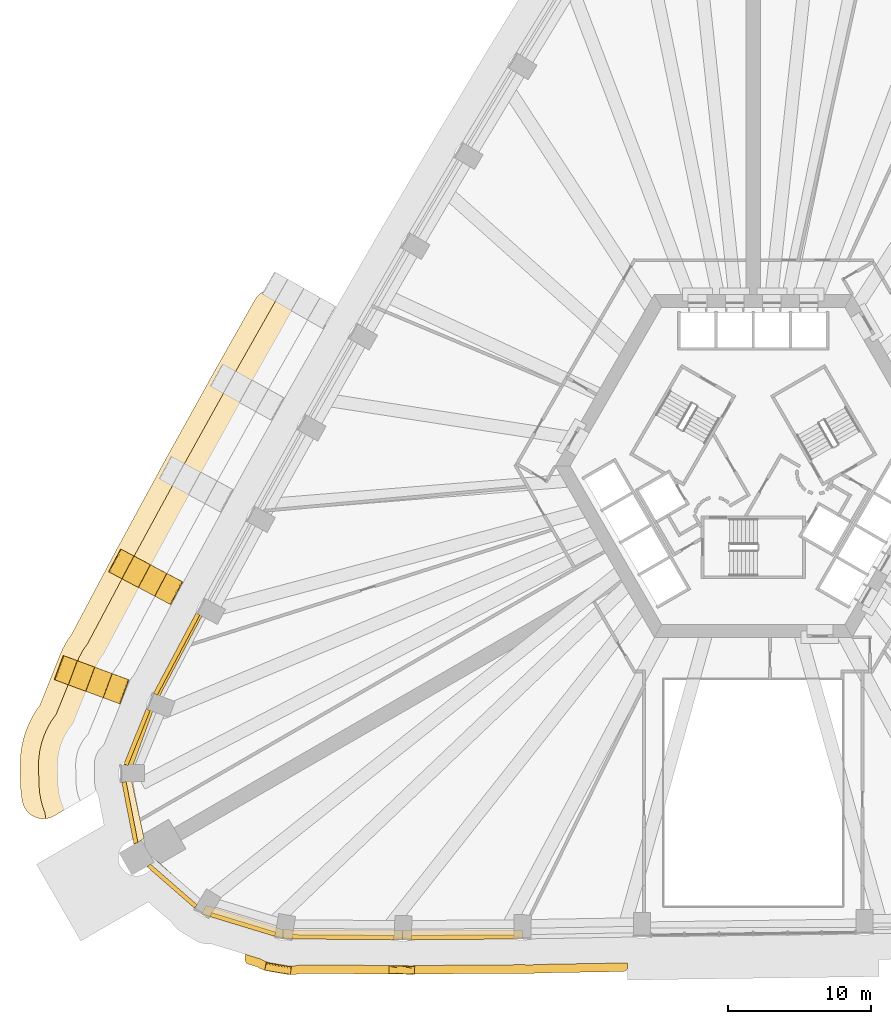
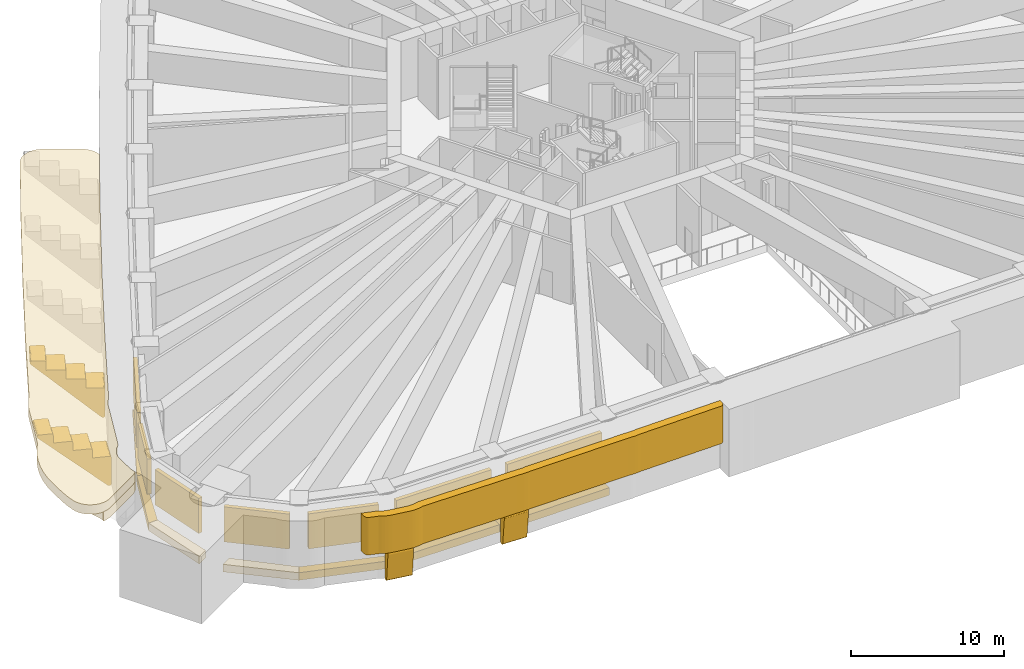
# One storey, part 14 of 21: 14 coverings, 7 shading devices.
"""IFC4 building model written with IfcOpenShell, lengths in metres."""

from ifc_helpers import new_model, si_unit, direction, frame, origin, origin_2d, place, context, subcontext, project, spatial, polyline, rectangle, outline, extrude, material, layer, layer_set, type_object, element, save


model = new_model("IFC4")

# Units and contexts
model_context = context("Model", 3, precision=1e-05, world=origin(), true_north=direction((0.0, 1.0)))
body_context = subcontext(model_context, "Body", "Model", "MODEL_VIEW")
ifc_project = project(units=[si_unit("LENGTHUNIT", "METRE"), si_unit("AREAUNIT", "SQUARE_METRE"), si_unit("VOLUMEUNIT", "CUBIC_METRE"), si_unit("PLANEANGLEUNIT", "RADIAN"), si_unit("MASSUNIT", "GRAM", prefix="KILO")], contexts=[model_context])

# Site, building, storey
site_placement = place(None, origin())
site = spatial("IfcSite", under=ifc_project, at=site_placement, CompositionType="ELEMENT")
building_placement = place(site_placement, origin())
building = spatial("IfcBuilding", under=site, at=building_placement, Name="Entoto Arch Interchange Tower", CompositionType="ELEMENT")
storey_placement = place(building_placement, frame((0.0, 0.0, 81.199951171875)))
storey = spatial("IfcBuildingStorey", under=building, at=storey_placement, Name="L17", CompositionType="ELEMENT", Elevation=81.199951171875)

# Shading devices
ifc_material_1 = material(Name="Aluminium, anodised", Category="aluminium")
ifc_layer = layer(ifc_material_1, 0.300048828125)
ifc_layer_set = layer_set([ifc_layer], Name="Aluminium, anodised")
shading_device_type = type_object("IfcShadingDeviceType", Name="PLANT LOUVRE ALUMINIUM", PredefinedType="JALOUSIE", material=ifc_layer_set)
shading_device_1_placement = place(storey_placement, frame((-28.70703125, -30.4970703125, 1.2001953125), z_axis=(0.0, 0.0, 1.0), x_axis=(0.999971443928, -0.007557203726, 0.0)))
element("IfcShadingDevice", 1, at=shading_device_1_placement, inside=storey, type_object=shading_device_type, Name="Plant louvre S-01 L17", PredefinedType="JALOUSIE", context=body_context, shape_type="SweptSolid", body=[
    extrude(rectangle(XDim=7.14501953125, YDim=0.300048828125, at=origin_2d()), origin(), (0.0, 0.0, 1.0), 2.800048828125),
])
shading_device_2_placement = place(storey_placement, frame((-20.35009765625, -30.4990234375, 1.2001953125), z_axis=(0.0, 0.0, 1.0), x_axis=(0.99997364218, 0.007260505897, 0.0)))
element("IfcShadingDevice", 2, at=shading_device_2_placement, inside=storey, type_object=shading_device_type, Name="Plant louvre S-02 L17", PredefinedType="JALOUSIE", context=body_context, shape_type="SweptSolid", body=[
    extrude(rectangle(XDim=7.1689453125, YDim=0.300048828125, at=origin_2d()), origin(), (0.0, 0.0, 1.0), 2.800048828125),
])
shading_device_3_placement = place(storey_placement, frame((-40.364990234375, -10.676025390625, 1.2001953125), z_axis=(0.0, 0.0, 1.0), x_axis=(-0.469070845554, -0.88316054138, 0.0)))
element("IfcShadingDevice", 3, at=shading_device_3_placement, inside=storey, type_object=shading_device_type, Name="Plant louvre NW-09 L17", PredefinedType="JALOUSIE", context=body_context, shape_type="SweptSolid", body=[
    extrude(rectangle(XDim=6.346923828125, YDim=0.300048828125, at=origin_2d()), origin(), (0.0, 0.0, 1.0), 2.800048828125),
])
shading_device_4_placement = place(storey_placement, frame((-43.138916015625, -16.4970703125, 1.2001953125), z_axis=(0.0, 0.0, 1.0), x_axis=(-0.37342497368, -0.927660384533, 0.0)))
element("IfcShadingDevice", 4, at=shading_device_4_placement, inside=storey, type_object=shading_device_type, Name="Plant louvre SW-01 L17", PredefinedType="JALOUSIE", context=body_context, shape_type="SweptSolid", body=[
    extrude(rectangle(XDim=4.158935546875, YDim=0.300048828125, at=origin_2d()), origin(), (0.0, 0.0, 1.0), 2.800048828125),
])
shading_device_5_placement = place(storey_placement, frame((-43.635986328125, -21.77001953125, 1.2001953125), z_axis=(0.0, 0.0, 1.0), x_axis=(0.191408601662, -0.981510441722, 0.0)))
element("IfcShadingDevice", 5, at=shading_device_5_placement, inside=storey, type_object=shading_device_type, Name="Plant louvre SW-02 L17", PredefinedType="JALOUSIE", context=body_context, shape_type="SweptSolid", body=[
    extrude(rectangle(XDim=4.367919921875, YDim=0.300048828125, at=origin_2d()), origin(), (0.0, 0.0, 1.0), 2.800048828125),
])
shading_device_6_placement = place(storey_placement, frame((-40.6708984375, -26.905029296875, 1.2001953125), z_axis=(0.0, 0.0, 1.0), x_axis=(0.754388879192, -0.656427771314, 0.0)))
element("IfcShadingDevice", 6, at=shading_device_6_placement, inside=storey, type_object=shading_device_type, Name="Plant louvre SW-03 L17", PredefinedType="JALOUSIE", context=body_context, shape_type="SweptSolid", body=[
    extrude(rectangle(XDim=4.368896484375, YDim=0.300048828125, at=origin_2d()), origin(), (0.0, 0.0, 1.0), 2.800048828125),
])
shading_device_7_placement = place(storey_placement, frame((-35.718017578125, -29.60302734375, 1.2001953125), z_axis=(0.0, 0.0, 1.0), x_axis=(0.956554445814, -0.291553755239, 0.0)))
element("IfcShadingDevice", 7, at=shading_device_7_placement, inside=storey, type_object=shading_device_type, Name="Plant louvre SW-04 L17", PredefinedType="JALOUSIE", context=body_context, shape_type="SweptSolid", body=[
    extrude(rectangle(XDim=4.712890625, YDim=0.300048828125, at=origin_2d()), origin(), (0.0, 0.0, 1.0), 2.800048828125),
])

# Coverings
ifc_material_2 = material(Name="Board-marked precast concrete C50/60", Category="concrete")
covering_type_1 = type_object("IfcCoveringType", Name="PRECAST FRAME COURSE", PredefinedType="CLADDING", material=ifc_material_2)
covering_1_placement = place(storey_placement, frame((0.0, 0.0, 1.800048828125)))
element("IfcCovering", 8, at=covering_1_placement, inside=storey, type_object=covering_type_1, Name="Cantilever cornice L17 1", PredefinedType="CLADDING", context=body_context, shape_type="SweptSolid", body=[
    extrude(outline(polyline([(-8.805908203125, -32.654052734375), (-8.81298828125, -32.681884765625), (-8.822021484375, -32.7099609375), (-8.8349609375, -32.736083984375), (-8.84912109375, -32.760986328125), (-8.866943359375, -32.784912109375), (-8.885986328125, -32.805908203125), (-8.906982421875, -32.825927734375), (-8.930908203125, -32.843994140625), (-8.955078125, -32.85888671875), (-8.98193359375, -32.8720703125), (-9.009033203125, -32.882080078125), (-9.037109375, -32.888916015625), (-9.06591796875, -32.89404296875), (-9.094970703125, -32.89599609375), (-15.197998046875, -33.001953125), (-15.20703125, -33.0029296875), (-15.215087890625, -33.00390625), (-15.35791015625, -33.02197265625), (-15.373046875, -33.02392578125), (-15.403076171875, -33.02587890625), (-15.507080078125, -33.029052734375), (-15.615966796875, -33.031982421875), (-15.631103515625, -33.031982421875), (-16.18603515625, -33.01904296875), (-16.18798828125, -33.01904296875), (-16.18994140625, -33.01904296875), (-23.5859375, -33.072021484375), (-23.593994140625, -33.072021484375), (-23.60205078125, -33.072998046875), (-23.77099609375, -33.093017578125), (-23.800048828125, -33.093994140625), (-23.944091796875, -33.096923828125), (-24.013916015625, -33.097900390625), (-24.028076171875, -33.097900390625), (-24.239990234375, -33.090087890625), (-24.587890625, -33.0791015625), (-24.590087890625, -33.0791015625), (-24.591064453125, -33.0791015625), (-31.669921875, -33.02490234375), (-31.677001953125, -33.02490234375), (-31.68408203125, -33.02587890625), (-31.76904296875, -33.050048828125), (-31.798095703125, -33.056884765625), (-31.97900390625, -33.089111328125), (-32.0009765625, -33.093017578125), (-32.030029296875, -33.096923828125), (-32.04296875, -33.097900390625), (-32.235107421875, -33.113037109375), (-32.264892578125, -33.114013671875), (-32.35888671875, -33.112060546875), (-32.470947265625, -33.110107421875), (-32.5, -33.10791015625), (-32.6650390625, -33.087890625), (-32.7119140625, -33.08203125), (-32.72705078125, -33.080078125), (-32.989013671875, -33.035888671875), (-33.89501953125, -32.883056640625), (-33.909912109375, -32.8798828125), (-34.071044921875, -32.843994140625), (-34.117919921875, -32.833984375), (-34.14697265625, -32.825927734375), (-34.31298828125, -32.77197265625), (-34.343017578125, -32.761962890625), (-34.3701171875, -32.751953125), (-34.429931640625, -32.72607421875), (-34.55908203125, -32.6689453125), (-34.5849609375, -32.656005859375), (-34.614013671875, -32.639892578125), (-34.743896484375, -32.56689453125), (-34.7509765625, -32.56298828125), (-34.758056640625, -32.56103515625), (-35.35302734375, -32.3798828125), (-35.381103515625, -32.3701171875), (-35.406982421875, -32.35693359375), (-35.43310546875, -32.342041015625), (-35.4560546875, -32.324951171875), (-35.47802734375, -32.304931640625), (-35.498046875, -32.282958984375), (-35.514892578125, -32.259033203125), (-35.530029296875, -32.23388671875), (-35.54296875, -32.20703125), (-35.552978515625, -32.179931640625), (-35.56005859375, -32.15087890625), (-35.56396484375, -32.1220703125), (-35.56591796875, -32.093017578125), (-35.56591796875, -31.695068359375), (-35.56591796875, -31.68798828125), (-34.4970703125, -32.012939453125), (-34.458984375, -32.0400390625), (-34.304931640625, -32.1259765625), (-34.14306640625, -32.197021484375), (-33.97509765625, -32.251953125), (-33.802978515625, -32.2900390625), (-32.618896484375, -32.489990234375), (-32.444091796875, -32.510986328125), (-32.26708984375, -32.513916015625), (-32.091064453125, -32.5009765625), (-31.9169921875, -32.469970703125), (-31.7548828125, -32.424072265625), (-24.576904296875, -32.47900390625), (-24.0009765625, -32.498046875), (-23.823974609375, -32.4951171875), (-23.64892578125, -32.47509765625), (-23.635986328125, -32.472900390625), (-16.18310546875, -32.4189453125), (-15.610107421875, -32.431884765625), (-15.43310546875, -32.427001953125), (-15.258056640625, -32.405029296875), (-15.25, -32.403076171875), (-8.800048828125, -32.291015625), (-8.800048828125, -32.298095703125), (-8.800048828125, -32.595947265625), (-8.801025390625, -32.625), (-8.805908203125, -32.654052734375)])), origin(), (0.0, 0.0, 1.0), 3.0),
])
covering_2_placement = place(storey_placement, frame((-34.157958984375, -32.592041015625, -0.466064453125), z_axis=(-0.985923764933, 0.167168662055, 0.002994689788), x_axis=(0.032181227357, 0.207313259739, -0.977745151326)))
element("IfcCovering", 9, at=covering_2_placement, inside=storey, type_object=covering_type_1, Name="Fold rib S01 L17", PredefinedType="CLADDING", context=body_context, shape_type="SweptSolid", body=[
    extrude(outline(polyline([(0.0, 0.0), (0.02946422955552059, -8.673617379884035e-19), (0.05850366103581761, -0.0061664940130488136), (0.08528114185644994, -0.016924179819936606), (0.10910759343433361, -0.032541856866893495), (0.1299987292593892, -0.053099637061966146), (0.14742787397638082, -0.07731690475328823), (0.15814829085485818, -0.10399573279801679), (0.16803650298225037, -0.14542817087433482), (0.1713521672010461, -0.17484738279981799), (0.16920731230652464, -0.20326424290012923), (0.1611423574247386, -0.2320040011773337), (0.1472041179742471, -0.2578187622066948), (0.11859900436760387, -0.2909279271457163), (0.09449357174300378, -0.3077580783372366), (0.06733355468620139, -0.3196606010064658), (-2.0151550738601274, -0.7665163658059138), (-2.044858010727984, -0.7665675803474867), (-2.0734641372856917, -0.7612511105731655), (-2.1133287385945425, -0.7430407988357228), (-2.1461164891138194, -0.7135815309562163), (-2.1633038957507953, -0.6905058377693349), (-2.1744969012766635, -0.6627767057157621), (-2.2316185178402406, -0.4011863104366671), (-2.233823986270814, -0.35716255370813804), (-2.2237695430333866, -0.31440562196737604), (-2.2023611989980973, -0.2757012192022582), (-2.1698037891854347, -0.24589172393020012), (-2.1299293133150083, -0.2269092459543373), (-2.1005683138977385, -0.22060985734085353), (0.0, 0.0)])), origin(), (0.0, 0.0, -1.0), 1.800048828125),
])
covering_3_placement = place(storey_placement, frame((-25.511962890625, -32.81494140625, -0.46484375), z_axis=(-0.999427264371, 0.03369955605, 0.00307947313), x_axis=(0.003641647751, 0.197578534115, -0.980280297292)))
element("IfcCovering", 10, at=covering_3_placement, inside=storey, type_object=covering_type_1, Name="Fold rib S02 L17", PredefinedType="CLADDING", context=body_context, shape_type="SweptSolid", body=[
    extrude(outline(polyline([(0.0, 0.0), (0.029637509813596655, 8.673617379884035e-19), (0.058373385554457674, -0.005408829403618335), (0.085207500084156, -0.017457285290731924), (0.12096722448038227, -0.04289013173849007), (0.13977373001918167, -0.0657662962830886), (0.15317406431867384, -0.09147450862764932), (0.16931825221688437, -0.15673761698883568), (0.17214274237723443, -0.18558155646322852), (0.16979578148943372, -0.21471274780234964), (0.16131909516024534, -0.2430881904028009), (0.14718947738901056, -0.26936723424146336), (0.11808249708979796, -0.30165206858849125), (0.09368794656141963, -0.31777001841666497), (0.06641404714128576, -0.3294901537761962), (-2.021442326342567, -0.7505678411370611), (-2.0511280731029697, -0.7503286547011523), (-2.079629067970164, -0.7448305173534882), (-2.119205163533201, -0.7264232116387588), (-2.1517199261659976, -0.696071273070009), (-2.1687529762929336, -0.6721244898984338), (-2.17952258039298, -0.6446414740000288), (-2.2334769487069357, -0.3819038163918124), (-2.235990607826542, -0.33853531178150476), (-2.2254769025761387, -0.295561456710418), (-2.202555318623402, -0.25730500134586876), (-2.1695653059973754, -0.2282200393178896), (-2.1296181058759864, -0.2089336812819728), (-2.1011382827857186, -0.20319320682016154), (0.0, 0.0)])), origin(), (0.0, 0.0, -1.0), 1.800048828125),
])
covering_4_placement = place(storey_placement, frame((0.0, 0.0, 4.050048828125)))
element("IfcCovering", 11, at=covering_4_placement, inside=storey, type_object=covering_type_1, Name="Cantilever cornice nw-L17 1", PredefinedType="CLADDING", context=body_context, shape_type="SweptSolid", body=[
    extrude(outline(polyline([(-46.10107421875, -20.2919921875), (-46.205078125, -20.39111328125), (-46.31689453125, -20.47998046875), (-46.43798828125, -20.556884765625), (-47.4150390625, -21.12109375), (-48.946044921875, -22.0048828125), (-49.074951171875, -22.071044921875), (-49.208984375, -22.125), (-49.346923828125, -22.1650390625), (-49.489013671875, -22.19189453125), (-49.633056640625, -22.205078125), (-49.777099609375, -22.2041015625), (-49.919921875, -22.18896484375), (-50.06201171875, -22.160888671875), (-50.199951171875, -22.118896484375), (-50.3330078125, -22.06396484375), (-50.4609375, -21.9970703125), (-50.5810546875, -21.9169921875), (-50.694091796875, -21.826904296875), (-50.797119140625, -21.72607421875), (-50.889892578125, -21.614990234375), (-50.970947265625, -21.49609375), (-51.041015625, -21.3701171875), (-51.09912109375, -21.238037109375), (-51.14404296875, -21.10107421875), (-51.175048828125, -20.9599609375), (-51.198974609375, -20.820068359375), (-51.2451171875, -20.550048828125), (-51.262939453125, -20.403076171875), (-51.303955078125, -19.827880859375), (-51.30810546875, -19.7548828125), (-51.31591796875, -19.364990234375), (-51.3330078125, -18.62890625), (-51.3330078125, -18.554931640625), (-51.320068359375, -18.076904296875), (-51.31689453125, -17.97900390625), (-51.305908203125, -17.83203125), (-51.239013671875, -17.297119140625), (-51.214111328125, -17.152099609375), (-51.139892578125, -16.823974609375), (-51.094970703125, -16.6259765625), (-51.054931640625, -16.48388671875), (-50.885009765625, -15.971923828125), (-50.8310546875, -15.8349609375), (-50.612060546875, -15.342041015625), (-50.544921875, -15.2099609375), (-50.279052734375, -14.740966796875), (-50.199951171875, -14.616943359375), (-50.0029296875, -14.340087890625), (-49.969970703125, -14.29296875), (-49.945068359375, -14.257080078125), (-49.927978515625, -14.216064453125), (-48.81201171875, -11.443115234375), (-48.80810546875, -11.43310546875), (-48.803955078125, -11.424072265625), (-48.679931640625, -11.087890625), (-48.64501953125, -10.993896484375), (-48.616943359375, -10.926025390625), (-48.389892578125, -10.39599609375), (-48.325927734375, -10.263916015625), (-48.06591796875, -9.791015625), (-47.988037109375, -9.666015625), (-47.72802734375, -9.285888671875), (-47.7041015625, -9.2509765625), (-47.68408203125, -9.214111328125), (-46.720947265625, -7.39892578125), (-45.194091796875, -4.52392578125), (-44.6298828125, -3.462890625), (-44.626953125, -3.45703125), (-44.59912109375, -3.406005859375), (-44.595947265625, -3.39892578125), (-41.68408203125, 1.958984375), (-41.675048828125, 1.97509765625), (-41.669921875, 1.986083984375), (-41.657958984375, 2.009033203125), (-41.094970703125, 3.04296875), (-41.092041015625, 3.049072265625), (-41.06689453125, 3.093017578125), (-41.06396484375, 3.09912109375), (-40.10205078125, 4.8310546875), (-38.10693359375, 8.426025390625), (-38.09912109375, 8.44091796875), (-38.091064453125, 8.45703125), (-38.0869140625, 8.465087890625), (-38.068115234375, 8.4990234375), (-37.5009765625, 9.51611328125), (-37.4990234375, 9.52099609375), (-37.47802734375, 9.55810546875), (-37.47509765625, 9.56201171875), (-34.887939453125, 14.1298828125), (-34.80908203125, 14.2548828125), (-34.718017578125, 14.37109375), (-34.616943359375, 14.47802734375), (-34.5048828125, 14.573974609375), (-34.384033203125, 14.658935546875), (-34.256103515625, 14.73095703125), (-34.12109375, 14.791015625), (-33.98095703125, 14.8369140625), (-33.8369140625, 14.868896484375), (-33.68994140625, 14.886962890625), (-33.54296875, 14.889892578125), (-33.39599609375, 14.87890625), (-33.25, 14.85302734375), (-33.10791015625, 14.81396484375), (-32.970947265625, 14.760009765625), (-32.839111328125, 14.694091796875), (-30.6708984375, 13.4560546875), (-30.552978515625, 13.381103515625), (-30.44189453125, 13.294921875), (-30.340087890625, 13.199951171875), (-30.2470703125, 13.094970703125), (-30.1640625, 12.98193359375), (-30.092041015625, 12.862060546875), (-30.031982421875, 12.736083984375), (-29.98388671875, 12.60498046875), (-29.947998046875, 12.469970703125), (-29.927978515625, 12.35009765625), (-29.927001953125, 12.345947265625), (-29.908935546875, 12.373046875), (-29.927978515625, 12.341064453125), (-29.949951171875, 12.297119140625), (-32.951904296875, 6.9970703125), (-32.9580078125, 6.987060546875), (-33.5419921875, 5.93798828125), (-33.556884765625, 5.908935546875), (-36.51904296875, 0.572998046875), (-36.52587890625, 0.56005859375), (-37.10009765625, -0.493896484375), (-37.10791015625, -0.510986328125), (-40.029052734375, -5.885986328125), (-40.037109375, -5.89990234375), (-40.60009765625, -6.9599609375), (-40.60205078125, -6.964111328125), (-43.344970703125, -12.1298828125), (-43.388916015625, -12.173095703125), (-43.5029296875, -12.30810546875), (-43.60302734375, -12.4541015625), (-43.68798828125, -12.60791015625), (-43.757080078125, -12.77099609375), (-43.9580078125, -13.31005859375), (-45.4541015625, -17.027099609375), (-45.509033203125, -17.069091796875), (-45.636962890625, -17.18994140625), (-45.751953125, -17.323974609375), (-45.85400390625, -17.468017578125), (-45.94189453125, -17.6220703125), (-46.013916015625, -17.782958984375), (-46.069091796875, -17.950927734375), (-46.10791015625, -18.123046875), (-46.1298828125, -18.298095703125), (-46.135009765625, -18.47509765625), (-46.10791015625, -19.674072265625), (-46.094970703125, -19.85107421875), (-46.06591796875, -20.02490234375), (-46.01904296875, -20.195068359375), (-46.006103515625, -20.22900390625), (-46.01904296875, -20.197998046875), (-46.028076171875, -20.2080078125), (-46.10107421875, -20.2919921875)])), origin(), (0.0, 0.0, 1.0), 0.75),
])
covering_5_placement = place(storey_placement, frame((0.0, 0.0, 3.300048828125)))
element("IfcCovering", 12, at=covering_5_placement, inside=storey, type_object=covering_type_1, Name="Cantilever cornice nw-L17 2", PredefinedType="CLADDING", context=body_context, shape_type="SweptSolid", body=[
    extrude(outline(polyline([(-46.10107421875, -20.2919921875), (-46.205078125, -20.39111328125), (-46.31689453125, -20.47998046875), (-46.43798828125, -20.556884765625), (-47.4150390625, -21.12109375), (-48.946044921875, -22.0048828125), (-49.074951171875, -22.071044921875), (-49.208984375, -22.125), (-49.346923828125, -22.1650390625), (-49.489013671875, -22.19189453125), (-49.568115234375, -22.198974609375), (-49.530029296875, -22.110107421875), (-49.60498046875, -21.721923828125), (-49.72412109375, -21.410888671875), (-49.8720703125, -20.8720703125), (-49.967041015625, -20.320068359375), (-50.007080078125, -19.761962890625), (-50.033935546875, -18.56298828125), (-50.01904296875, -18.00390625), (-49.949951171875, -17.448974609375), (-49.825927734375, -16.903076171875), (-49.64990234375, -16.3720703125), (-49.422119140625, -15.861083984375), (-49.14501953125, -15.375), (-48.822021484375, -14.91796875), (-48.799072265625, -14.89111328125), (-47.594970703125, -11.903076171875), (-47.4130859375, -11.412109375), (-47.193115234375, -10.89794921875), (-46.923095703125, -10.407958984375), (-46.60693359375, -9.947021484375), (-46.593017578125, -9.929931640625), (-44.0458984375, -5.134033203125), (-44.0439453125, -5.1298828125), (-43.48095703125, -4.070068359375), (-43.4560546875, -4.02294921875), (-40.532958984375, 1.35302734375), (-40.52490234375, 1.3701171875), (-39.950927734375, 2.424072265625), (-39.928955078125, 2.465087890625), (-36.962890625, 7.80810546875), (-36.948974609375, 7.8369140625), (-36.364013671875, 8.885986328125), (-36.344970703125, 8.9189453125), (-33.3369140625, 14.22998046875), (-33.31494140625, 14.27392578125), (-33.02490234375, 14.781005859375), (-32.970947265625, 14.760009765625), (-32.839111328125, 14.694091796875), (-30.6708984375, 13.4560546875), (-30.552978515625, 13.381103515625), (-30.44189453125, 13.294921875), (-30.340087890625, 13.199951171875), (-30.2470703125, 13.094970703125), (-30.1640625, 12.98193359375), (-30.092041015625, 12.862060546875), (-30.031982421875, 12.736083984375), (-29.98388671875, 12.60498046875), (-29.947998046875, 12.469970703125), (-29.927978515625, 12.35009765625), (-29.927001953125, 12.345947265625), (-29.908935546875, 12.373046875), (-29.927978515625, 12.341064453125), (-29.949951171875, 12.297119140625), (-32.951904296875, 6.9970703125), (-32.9580078125, 6.987060546875), (-33.5419921875, 5.93798828125), (-33.556884765625, 5.908935546875), (-36.51904296875, 0.572998046875), (-36.52587890625, 0.56005859375), (-37.10009765625, -0.493896484375), (-37.10791015625, -0.510986328125), (-40.029052734375, -5.885986328125), (-40.037109375, -5.89990234375), (-40.60009765625, -6.9599609375), (-40.60205078125, -6.964111328125), (-43.344970703125, -12.1298828125), (-43.388916015625, -12.173095703125), (-43.5029296875, -12.30810546875), (-43.60302734375, -12.4541015625), (-43.68798828125, -12.60791015625), (-43.757080078125, -12.77099609375), (-43.9580078125, -13.31005859375), (-45.4541015625, -17.027099609375), (-45.509033203125, -17.069091796875), (-45.636962890625, -17.18994140625), (-45.751953125, -17.323974609375), (-45.85400390625, -17.468017578125), (-45.94189453125, -17.6220703125), (-46.013916015625, -17.782958984375), (-46.069091796875, -17.950927734375), (-46.10791015625, -18.123046875), (-46.1298828125, -18.298095703125), (-46.135009765625, -18.47509765625), (-46.10791015625, -19.674072265625), (-46.094970703125, -19.85107421875), (-46.06591796875, -20.02490234375), (-46.01904296875, -20.195068359375), (-46.006103515625, -20.22900390625), (-46.01904296875, -20.197998046875), (-46.028076171875, -20.2080078125), (-46.10107421875, -20.2919921875)])), origin(), (0.0, 0.0, 1.0), 0.75),
])
covering_6_placement = place(storey_placement, frame((-40.14501953125, -5.5029296875, -0.532958984375), z_axis=(0.469480629739, 0.882936841084, 0.003236194821), x_axis=(0.732396622844, -0.38738213675, -0.559937734908)))
element("IfcCovering", 13, at=covering_6_placement, inside=storey, type_object=covering_type_1, Name="Fold rib NW09 L17", PredefinedType="CLADDING", context=body_context, shape_type="SweptSolid", body=[
    extrude(outline(polyline([(0.0, 0.0), (0.04272583464224942, 3.469446951953614e-18), (0.08521032730910985, -0.011619027310211479), (0.12122755452932116, -0.03478125296327466), (0.15000988456227604, -0.067493889285961), (0.16735089256010977, -0.10720928717883896), (0.1729566257616412, -0.15077551091685495), (0.17022306947835128, -0.17898173568639394), (0.1551332288753353, -0.21946758239454223), (-1.0139680979938634, -1.9496559417080879), (-1.031907881746022, -1.972302489362345), (-1.0550426576874836, -1.990555241469007), (-1.0807959110012588, -2.00468063663704), (-1.1096618899417259, -2.012871040051944), (-1.1392429110720392, -2.0158622035157445), (-1.1684771537814722, -2.0129017731572745), (-1.1962392763473435, -2.0038644948097555), (-1.2217823107475743, -1.9901352041878713), (-2.149470375482551, -1.3631865490022326), (-2.494878773594812, -1.8720192825480437), (-2.515857559862361, -1.8929053066310297), (-2.540212158799908, -1.9088597236718479), (-2.566585973030125, -1.9202094681213993), (-2.610920631364497, -1.9264885935445561), (-2.654193726432111, -1.9199350270528546), (-2.694175262117028, -1.9002800160811382), (-3.646386574029515, -1.25675792125362), (-3.9917949721417765, -1.765590654799431), (-4.012773758409326, -1.786476678882417), (-4.037128357346872, -1.802431095923235), (-4.064153857931237, -1.8133366542146847), (-4.10801563768071, -1.819939571262057), (-4.151109924979076, -1.813506399304242), (-4.191270268433241, -1.793730993798639), (-5.143397348293459, -1.1502645351801637), (-5.4888057464057205, -1.6590972687259748), (-5.5099633404425195, -1.6798628982750752), (-5.534223363663086, -1.6958820736407363), (-5.561070056478201, -1.7069080264660723), (-5.605026411944654, -1.7134461851886011), (-5.6484044263939595, -1.7068187382562567), (-5.688186466980206, -1.6873023660500261), (-6.325328358675286, -1.2567076048695744), (-6.348211163270059, -1.2377068360184018), (-6.366498613153611, -1.214445378958494), (-6.380526954194963, -1.1881662878123636), (-6.389119149958773, -1.159379626719176), (-6.390886112949893, -1.129012063486821), (-6.387805237571028, -1.0998580902153643), (-6.377952424921183, -1.0714537758508773), (-6.363324956337962, -1.0450924285857845), (-6.344154935092326, -1.0229842149323365), (-6.320347055905449, -1.0054800767201701), (-6.293416036594489, -0.9921509291960979), (-6.264728865423271, -0.9838401312473071), (0.0, 0.0)])), origin(), (0.0, 0.0, -1.0), 1.800048828125),
])
covering_7_placement = place(storey_placement, frame((-43.91796875, -12.39111328125, -0.505859375), z_axis=(0.34832641848, 0.937368434243, 0.003020707382), x_axis=(0.768888281043, -0.283872909544, -0.572910972579)))
element("IfcCovering", 14, at=covering_7_placement, inside=storey, type_object=covering_type_1, Name="Fold rib NW10 L17", PredefinedType="CLADDING", context=body_context, shape_type="SweptSolid", body=[
    extrude(outline(polyline([(0.0, 0.0), (0.04389528169147999, 1.0408340855860843e-17), (0.07180632468817919, -0.007299493049333576), (0.10942919010413832, -0.027640923337872957), (0.14059527683522813, -0.057767371107308285), (0.16133199147703628, -0.09668484733290528), (0.1701443890934031, -0.1382920052170025), (0.16731473341776185, -0.18159129138881108), (0.15206221847435508, -0.22216414541512797), (-1.0286842664636668, -1.9114674534255016), (-1.0477881528612756, -1.933262070965258), (-1.070899615272305, -1.9513624480604708), (-1.0972008875262482, -1.9648496951507564), (-1.1252215500833938, -1.9732638759920014), (-1.1553130557401343, -1.9754641220666123), (-1.1842462282578006, -1.9722178953464662), (-1.21171986706358, -1.962843280630239), (-1.2376395411361267, -1.9483009575248738), (-2.1550081576138505, -1.3070568389151793), (-2.5075392391019715, -1.8109809355850128), (-2.529431230322522, -1.8311260753563543), (-2.5536222930811157, -1.846981589180225), (-2.5814037255253908, -1.8570507788133748), (-2.624815734589118, -1.8633443603182585), (-2.6680691328926205, -1.8560457277416615), (-2.707211524894667, -1.836131908029036), (-3.6496906447478468, -1.1773390411030618), (-4.003249813336151, -1.68054238213029), (-4.024390937094745, -1.7012111265543015), (-4.049402172224851, -1.7164937479780185), (-4.076086212659387, -1.7273329810012568), (-4.120526308823297, -1.7329058068635348), (-4.163502487488573, -1.7258043252768736), (-4.203109815994335, -1.705562453411145), (-5.145401218982025, -1.046900487648338), (-5.498209520108373, -1.5506274333282373), (-5.519073424228742, -1.571493328742183), (-5.544084659358847, -1.5867759501659005), (-5.57104591943161, -1.597418032199204), (-5.615208795957293, -1.6031880090514172), (-5.658531499170351, -1.595840088727337), (-5.697792303128331, -1.575844655599027), (-6.326438043048386, -1.136419934323576), (-6.349278036529201, -1.116878045943153), (-6.367780888702451, -1.092923497161832), (-6.381519652589775, -1.0663421979346852), (-6.388971134380279, -1.037899643556154), (-6.391024811355034, -1.0069736538786023), (-6.3865748118774786, -0.978510942083548), (-6.3769564970464225, -0.9497877798988181), (-6.361531337930029, -0.923931046392291), (-6.341606018137107, -0.9024106451625071), (-6.317324075735376, -0.8842335709343243), (-6.290202631109921, -0.8713192162441925), (-6.261713364824251, -0.8644261934264059), (0.0, 0.0)])), origin(), (0.0, 0.0, -1.0), 1.800048828125),
])
covering_type_2 = type_object("IfcCoveringType", Name="PRECAST LEDGE COURSE", PredefinedType="CLADDING", material=ifc_material_2)
covering_8_placement = place(storey_placement, frame((0.0, 0.0, -1.199951171875)))
element("IfcCovering", 15, at=covering_8_placement, inside=storey, type_object=covering_type_2, Name="Precast course S-01 L17", PredefinedType="CLADDING", context=body_context, shape_type="SweptSolid", body=[
    extrude(outline(polyline([(-24.5400390625, -30.0419921875), (-24.5400390625, -30.678955078125), (-32.910888671875, -30.614990234375), (-32.910888671875, -29.968994140625), (-24.5400390625, -30.0419921875)])), origin(), (0.0, 0.0, 1.0), 0.60009765625),
])
covering_9_placement = place(storey_placement, frame((0.0, 0.0, -1.199951171875)))
element("IfcCovering", 16, at=covering_9_placement, inside=storey, type_object=covering_type_2, Name="Precast course S-02 L17", PredefinedType="CLADDING", context=body_context, shape_type="SweptSolid", body=[
    extrude(outline(polyline([(-16.169921875, -29.987060546875), (-16.169921875, -30.618896484375), (-24.5400390625, -30.678955078125), (-24.5400390625, -30.0419921875), (-16.169921875, -29.987060546875)])), origin(), (0.0, 0.0, 1.0), 0.60009765625),
])
covering_10_placement = place(storey_placement, frame((0.0, 0.0, -1.199951171875)))
element("IfcCovering", 17, at=covering_10_placement, inside=storey, type_object=covering_type_2, Name="Precast course NW-09 L17", PredefinedType="CLADDING", context=body_context, shape_type="SweptSolid", body=[
    extrude(outline(polyline([(-41.833984375, -14.125), (-42.279052734375, -13.9599609375), (-38.72900390625, -7.27490234375), (-38.321044921875, -7.491943359375), (-41.833984375, -14.125)])), origin(), (0.0, 0.0, 1.0), 0.60009765625),
])
covering_11_placement = place(storey_placement, frame((0.0, 0.0, -1.199951171875)))
element("IfcCovering", 18, at=covering_11_placement, inside=storey, type_object=covering_type_2, Name="Precast course SW-01 L17", PredefinedType="CLADDING", context=body_context, shape_type="SweptSolid", body=[
    extrude(outline(polyline([(-43.631103515625, -19.01806640625), (-44.322021484375, -19.033935546875), (-42.279052734375, -13.9599609375), (-41.833984375, -14.125), (-43.631103515625, -19.01806640625)])), origin(), (0.0, 0.0, 1.0), 0.60009765625),
])
covering_12_placement = place(storey_placement, frame((0.0, 0.0, -1.199951171875)))
element("IfcCovering", 19, at=covering_12_placement, inside=storey, type_object=covering_type_2, Name="Precast course SW-02 L17", PredefinedType="CLADDING", context=body_context, shape_type="SweptSolid", body=[
    extrude(outline(polyline([(-42.64208984375, -23.580078125), (-43.35498046875, -23.991943359375), (-44.322021484375, -19.033935546875), (-43.631103515625, -19.01806640625), (-42.64208984375, -23.580078125)])), origin(), (0.0, 0.0, 1.0), 0.60009765625),
])
covering_13_placement = place(storey_placement, frame((0.0, 0.0, -1.199951171875)))
element("IfcCovering", 20, at=covering_13_placement, inside=storey, type_object=covering_type_2, Name="Precast course SW-03 L17", PredefinedType="CLADDING", context=body_context, shape_type="SweptSolid", body=[
    extrude(outline(polyline([(-38.284912109375, -28.277099609375), (-38.64404296875, -28.867919921875), (-42.455078125, -25.551025390625), (-41.741943359375, -25.138916015625), (-38.284912109375, -28.277099609375)])), origin(), (0.0, 0.0, 1.0), 0.60009765625),
])
covering_14_placement = place(storey_placement, frame((0.0, 0.0, -1.199951171875)))
element("IfcCovering", 21, at=covering_14_placement, inside=storey, type_object=covering_type_2, Name="Precast course SW-04 L17", PredefinedType="CLADDING", context=body_context, shape_type="SweptSolid", body=[
    extrude(outline(polyline([(-32.910888671875, -29.968994140625), (-32.910888671875, -30.614990234375), (-38.64404296875, -28.867919921875), (-38.284912109375, -28.277099609375), (-32.910888671875, -29.968994140625)])), origin(), (0.0, 0.0, 1.0), 0.60009765625),
])

save(model, "model.ifc")
